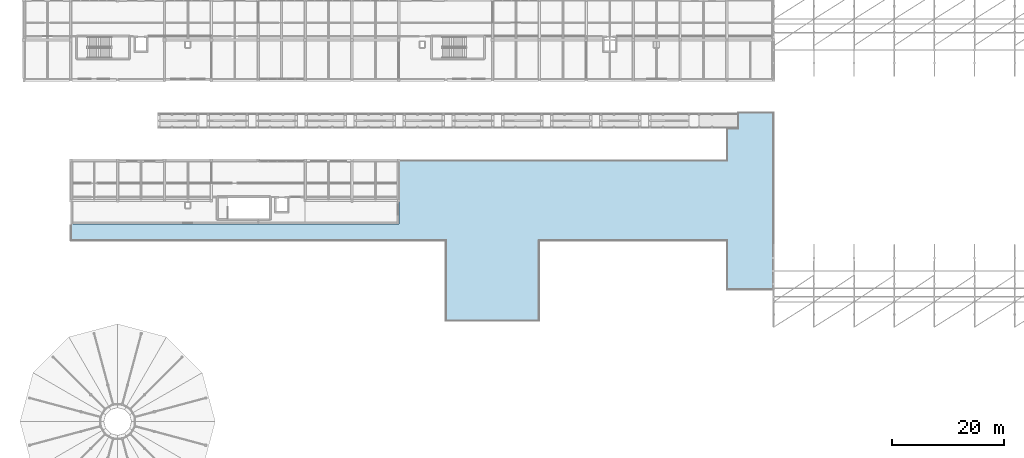
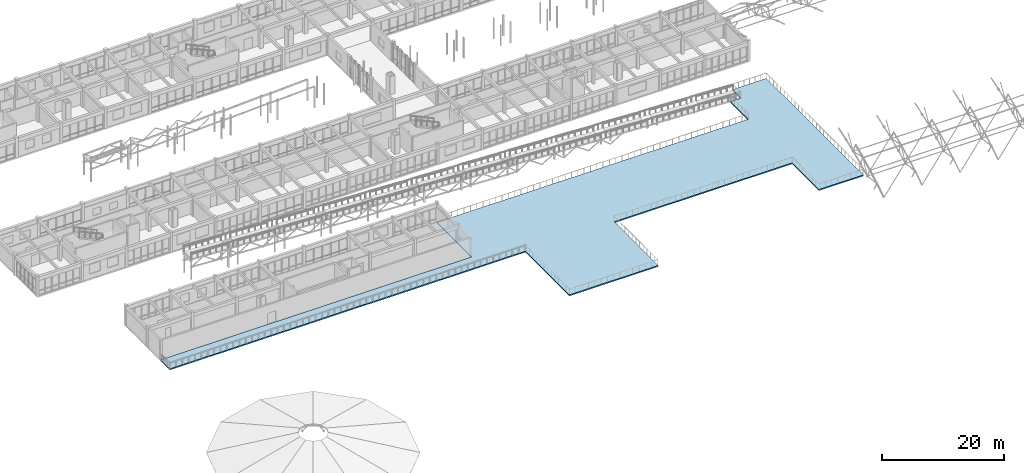
# One storey, part 60 of 89: 1 slab.
"""IFC4 building model written with IfcOpenShell, lengths in metres."""

import ifcopenshell
import ifcopenshell.guid

model = None  # the IFC model being written
_history = None  # IfcOwnerHistory: only IFC2X3 demands one
_inside = {}  # id of a spatial element -> (the spatial element, [elements in it])
_under = {}  # id of a project, library or spatial element -> (it, [spatial elements below it])
_declared = {}  # id of a project -> (the project, [libraries it declares])
_typed = {}  # id of a type object -> (the type object, [elements of that type])
_made_of = {}  # id of a material, layer set ... -> (it, [elements and type objects made of it])


def new_model(schema):
    """Start an empty IFC model of exactly this schema.

    Asked for "IFC4X3", IfcOpenShell would pick the latest addendum, in which some entities
    have other attributes; the version numbers below select the first issue.
    IFC2X3 requires an IfcOwnerHistory on every rooted entity: one is made here for all.
    """
    global model, _history
    if schema == "IFC4X3":
        model = ifcopenshell.file(schema_version=(4, 3, 0, 0))
    else:
        model = ifcopenshell.file(schema=schema)
    _inside.clear()
    _under.clear()
    _declared.clear()
    _typed.clear()
    _made_of.clear()
    _history = None
    if model.schema == "IFC2X3":
        org = make("IfcOrganization", Name="unknown")
        user = make(
            "IfcPersonAndOrganization",
            ThePerson=make("IfcPerson", FamilyName="unknown"),
            TheOrganization=org,
        )
        app = make(
            "IfcApplication",
            ApplicationDeveloper=org,
            Version="unknown",
            ApplicationFullName="unknown",
            ApplicationIdentifier="unknown",
        )
        _history = make(
            "IfcOwnerHistory",
            OwningUser=user,
            OwningApplication=app,
            ChangeAction="ADDED",
            CreationDate=0,
        )
    return model


def make(cls, **values):
    """One entity of the class cls with the attributes given. An attribute that is None is left unset."""
    return model.create_entity(
        cls, **{name: value for name, value in values.items() if value is not None}
    )


def rooted(cls, **values):
    """An entity with a GlobalId (a new one), such as an element, a storey or a relation."""
    return make(cls, GlobalId=ifcopenshell.guid.new(), OwnerHistory=_history, **values)


def si_unit(unit_type, name, prefix=None):
    """IfcSIUnit, for example si_unit("LENGTHUNIT", "METRE", prefix="MILLI")."""
    return make("IfcSIUnit", UnitType=unit_type, Prefix=prefix, Name=name)


def assignment(units):
    """IfcUnitAssignment: the units of a project."""
    return None if units is None else make("IfcUnitAssignment", Units=units)


def point(xyz):
    """IfcCartesianPoint."""
    return None if xyz is None else make("IfcCartesianPoint", Coordinates=xyz)


def direction(xyz):
    """IfcDirection."""
    return None if xyz is None else make("IfcDirection", DirectionRatios=xyz)


def frame(location, z_axis=None, x_axis=None):
    """IfcAxis2Placement3D, a coordinate frame: its origin and axes. An axis left out is left unset."""
    return make(
        "IfcAxis2Placement3D",
        Location=point(location),
        Axis=direction(z_axis),
        RefDirection=direction(x_axis),
    )


def origin():
    """The frame at (0, 0, 0) with its axes left unset."""
    return frame((0.0, 0.0, 0.0))


def place(relative_to, where):
    """IfcLocalPlacement: puts the frame where relative to a parent placement (None: the world)."""
    return make(
        "IfcLocalPlacement", PlacementRelTo=relative_to, RelativePlacement=where
    )


def context(
    kind, dimensions, precision=None, world=None, true_north=None, identifier=None
):
    """IfcGeometricRepresentationContext, for example the 3D "Model" context."""
    return make(
        "IfcGeometricRepresentationContext",
        ContextIdentifier=identifier,
        ContextType=kind,
        CoordinateSpaceDimension=dimensions,
        Precision=precision,
        WorldCoordinateSystem=world,
        TrueNorth=true_north,
    )


def subcontext(parent, identifier, kind, view, scale=None):
    """IfcGeometricRepresentationSubContext, for example "Body" below "Model"."""
    return make(
        "IfcGeometricRepresentationSubContext",
        ContextIdentifier=identifier,
        ContextType=kind,
        ParentContext=parent,
        TargetScale=scale,
        TargetView=view,
    )


def project(units=None, contexts=None):
    """IfcProject with its units and contexts."""
    return rooted(
        "IfcProject",
        Name="project",
        RepresentationContexts=contexts,
        UnitsInContext=assignment(units),
    )


def spatial(cls, under=None, at=None, **own):
    """A site, building, storey or space (cls), placed at a placement, below another one or the project."""
    s = rooted(cls, ObjectPlacement=at, **own)
    if under is not None:
        _under.setdefault(under.id(), (under, []))[1].append(s)
    return s


def polyline(points):
    """IfcPolyline through the points."""
    return make("IfcPolyline", Points=[point(p) for p in points])


def outline(outer, holes=None, kind="AREA"):
    """IfcArbitraryClosedProfileDef: a profile drawn as a closed curve; with holes, ...WithVoids."""
    if holes is None:
        return make("IfcArbitraryClosedProfileDef", ProfileType=kind, OuterCurve=outer)
    return make(
        "IfcArbitraryProfileDefWithVoids",
        ProfileType=kind,
        OuterCurve=outer,
        InnerCurves=holes,
    )


def extrude(swept, where, along, depth):
    """IfcExtrudedAreaSolid: the profile swept, set in the frame where, extruded along a direction by depth."""
    return make(
        "IfcExtrudedAreaSolid",
        SweptArea=swept,
        Position=where,
        ExtrudedDirection=direction(along),
        Depth=depth,
    )


def shape(context_of_items, identifier, shape_type, items):
    """IfcShapeRepresentation: the items that make up one representation, for example the "Body"."""
    return make(
        "IfcShapeRepresentation",
        ContextOfItems=context_of_items,
        RepresentationIdentifier=identifier,
        RepresentationType=shape_type,
        Items=items,
    )


def material(Name=None, Category=None):
    """IfcMaterial."""
    return make("IfcMaterial", Name=Name, Category=Category)


def layer(
    of_material, thickness, ventilated=None, Name=None, Category=None, Priority=None
):
    """IfcMaterialLayer: one layer of a wall or slab, of a material (None: an air gap)."""
    return make(
        "IfcMaterialLayer",
        Material=of_material,
        LayerThickness=thickness,
        IsVentilated=ventilated,
        Name=Name,
        Category=Category,
        Priority=Priority,
    )


def layer_set(layers, Name=None):
    """IfcMaterialLayerSet."""
    return make("IfcMaterialLayerSet", MaterialLayers=layers, LayerSetName=Name)


def made_of(thing, what):
    """Note that an element or type object is made of a material, layer set ...; save() writes the relation."""
    if what is not None:
        _made_of.setdefault(what.id(), (what, []))[1].append(thing)
    return thing


def type_object(cls, material=None, **own):
    """A type object (cls), such as IfcWallType, which elements share."""
    return made_of(rooted(cls, **own), material)


def element(
    cls,
    number,
    at=None,
    inside=None,
    cuts=None,
    type_object=None,
    material=None,
    context=None,
    identifier="Body",
    shape_type=None,
    held_by="IfcProductDefinitionShape",
    body=None,
    shapes=None,
    **own,
):
    """One element of the class cls, such as IfcWall. Its Tag is "e" and its number.

    at: its placement. inside: the storey or other place that contains it. cuts: it is an
    opening in that element (IfcRelVoidsElement). A single representation is given by context,
    identifier, shape_type and body (its items); several are given by shapes. held_by: the class
    of the entity that holds the representations. save() writes the other relations.
    """
    e = rooted(cls, Tag="e%d" % number, ObjectPlacement=at, **own)
    if body is not None:
        shapes = [shape(context, identifier, shape_type, body)]
    if shapes is not None:
        e.Representation = make(held_by, Representations=shapes)
    if inside is not None:
        _inside.setdefault(inside.id(), (inside, []))[1].append(e)
    if cuts is not None:
        rooted(
            "IfcRelVoidsElement", RelatingBuildingElement=cuts, RelatedOpeningElement=e
        )
    if type_object is not None:
        _typed.setdefault(type_object.id(), (type_object, []))[1].append(e)
    return made_of(e, material)


def aggregate(whole, parts):
    """IfcRelAggregates: a whole, such as a stair, and the parts it consists of."""
    return rooted("IfcRelAggregates", RelatingObject=whole, RelatedObjects=parts)


def save(model, path):
    """Write the relations noted so far, then the file.

    IfcRelAggregates (storeys below a building ...), IfcRelContainedInSpatialStructure (elements
    in a storey), IfcRelDefinesByType, IfcRelAssociatesMaterial and IfcRelDeclares: one each for
    every whole, place, type object, material and project.
    """
    for whole, parts in _under.values():
        aggregate(whole, parts)
    for where, things in _inside.values():
        rooted(
            "IfcRelContainedInSpatialStructure",
            RelatedElements=things,
            RelatingStructure=where,
        )
    for kind, things in _typed.values():
        rooted("IfcRelDefinesByType", RelatedObjects=things, RelatingType=kind)
    for what, things in _made_of.values():
        rooted("IfcRelAssociatesMaterial", RelatedObjects=things, RelatingMaterial=what)
    for by, libraries in _declared.values():
        rooted("IfcRelDeclares", RelatingContext=by, RelatedDefinitions=libraries)
    model.write(path)


model = new_model("IFC4")

# Units and contexts
model_context = context("Model", 3, precision=1e-05, world=origin(), true_north=direction((0.0, 1.0)))
body_context = subcontext(model_context, "Body", "Model", "MODEL_VIEW")
ifc_project = project(units=[si_unit("LENGTHUNIT", "METRE"), si_unit("AREAUNIT", "SQUARE_METRE"), si_unit("VOLUMEUNIT", "CUBIC_METRE"), si_unit("PLANEANGLEUNIT", "RADIAN"), si_unit("MASSUNIT", "GRAM", prefix="KILO")], contexts=[model_context])

# Site, building, storey
site_placement = place(None, origin())
site = spatial("IfcSite", under=ifc_project, at=site_placement, CompositionType="ELEMENT")
building_placement = place(site_placement, origin())
building = spatial("IfcBuilding", under=site, at=building_placement, Name="Malvenik Polytechnic", CompositionType="ELEMENT")
storey_placement = place(building_placement, frame((0.0, 0.0, 13.5)))
storey = spatial("IfcBuildingStorey", under=building, at=storey_placement, Name="L03", CompositionType="ELEMENT", Elevation=13.5)

# Slab
ifc_material = material(Name="Concrete C35/45", Category="concrete")
ifc_layer = layer(ifc_material, 0.22998046875)
ifc_layer_set = layer_set([ifc_layer], Name="Concrete C35/45")
slab_type = type_object("IfcSlabType", Name="STR-SLB-TER-230", PredefinedType="FLOOR", material=ifc_layer_set)
slab_placement = place(storey_placement, frame((0.0, 0.0, -0.22998046875)))
element("IfcSlab", 1, at=slab_placement, inside=storey, type_object=slab_type, Name="Exterior Terrace Slab L03 #89", PredefinedType="FLOOR", context=body_context, shape_type="SweptSolid", body=[
    extrude(outline(polyline([(8.39990234375, 53.39990234375), (8.400390625, 53.39990234375), (67.179931640625, 53.39990234375), (67.199951171875, 53.39990234375), (67.199951171875, 53.419921875), (67.199951171875, 64.799560546875), (67.199951171875, 64.800048828125), (67.200439453125, 64.800048828125), (125.97998046875, 64.800048828125), (125.98193359375, 64.800048828125), (125.98388671875, 64.80029296875), (125.98583984375, 64.80078125), (125.98779296875, 64.801513671875), (125.989501953125, 64.802490234375), (125.9912109375, 64.803466796875), (125.99267578125, 64.804443359375), (125.994140625, 64.805908203125), (125.99560546875, 64.807373046875), (125.99658203125, 64.808837890625), (125.99755859375, 64.810546875), (125.99853515625, 64.812255859375), (125.9990234375, 64.814208984375), (125.99951171875, 64.816162109375), (126.0, 64.818115234375), (126.0, 64.820068359375), (126.0, 70.599609375), (126.0, 70.60009765625), (126.00048828125, 70.60009765625), (127.9599609375, 70.60009765625), (127.9619140625, 70.60009765625), (127.9638671875, 70.600341796875), (127.9658203125, 70.600830078125), (127.9677734375, 70.6015625), (127.969482421875, 70.602294921875), (127.97119140625, 70.603515625), (127.97265625, 70.6044921875), (127.97412109375, 70.60595703125), (127.9755859375, 70.607421875), (127.9765625, 70.60888671875), (127.9775390625, 70.610595703125), (127.978515625, 70.6123046875), (127.97900390625, 70.6142578125), (127.9794921875, 70.6162109375), (127.97998046875, 70.617919921875), (127.97998046875, 70.6201171875), (127.97998046875, 73.3994140625), (127.97998046875, 73.39990234375), (127.98046875, 73.39990234375), (134.3798828125, 73.39990234375), (134.3798828125, 41.60009765625), (126.00048828125, 41.60009765625), (126.0, 41.60009765625), (126.0, 41.6005859375), (126.0, 50.3798828125), (126.0, 50.382080078125), (125.99951171875, 50.3837890625), (125.9990234375, 50.3857421875), (125.99853515625, 50.3876953125), (125.99755859375, 50.389404296875), (125.99658203125, 50.39111328125), (125.99560546875, 50.392578125), (125.994140625, 50.39404296875), (125.99267578125, 50.3955078125), (125.9912109375, 50.396484375), (125.989501953125, 50.397705078125), (125.98779296875, 50.3984375), (125.98583984375, 50.399169921875), (125.98388671875, 50.399658203125), (125.98193359375, 50.39990234375), (125.97998046875, 50.39990234375), (92.419921875, 50.39990234375), (92.41796875, 50.39990234375), (92.416015625, 50.399658203125), (92.414306640625, 50.399169921875), (92.412353515625, 50.3984375), (92.41064453125, 50.397705078125), (92.408935546875, 50.396484375), (92.4072265625, 50.3955078125), (92.406005859375, 50.39404296875), (92.404541015625, 50.392578125), (92.4033203125, 50.39111328125), (92.40234375, 50.389404296875), (92.401611328125, 50.3876953125), (92.40087890625, 50.3857421875), (92.400390625, 50.3837890625), (92.400146484375, 50.382080078125), (92.39990234375, 50.3798828125), (92.39990234375, 36.00048828125), (92.39990234375, 36.0), (92.3994140625, 36.0), (75.6005859375, 36.0), (75.60009765625, 36.0), (75.60009765625, 36.00048828125), (75.60009765625, 50.3798828125), (75.599853515625, 50.382080078125), (75.599609375, 50.3837890625), (75.59912109375, 50.3857421875), (75.598388671875, 50.3876953125), (75.59765625, 50.389404296875), (75.5966796875, 50.39111328125), (75.595458984375, 50.392578125), (75.593994140625, 50.39404296875), (75.5927734375, 50.3955078125), (75.591064453125, 50.396484375), (75.58935546875, 50.397705078125), (75.587646484375, 50.3984375), (75.585693359375, 50.399169921875), (75.583984375, 50.399658203125), (75.58203125, 50.39990234375), (75.580078125, 50.39990234375), (8.400390625, 50.39990234375), (8.39990234375, 50.39990234375), (8.39990234375, 50.400390625), (8.39990234375, 53.3994140625), (8.39990234375, 53.39990234375)])), origin(), (0.0, 0.0, 1.0), 0.22998046875),
])

save(model, "model.ifc")
